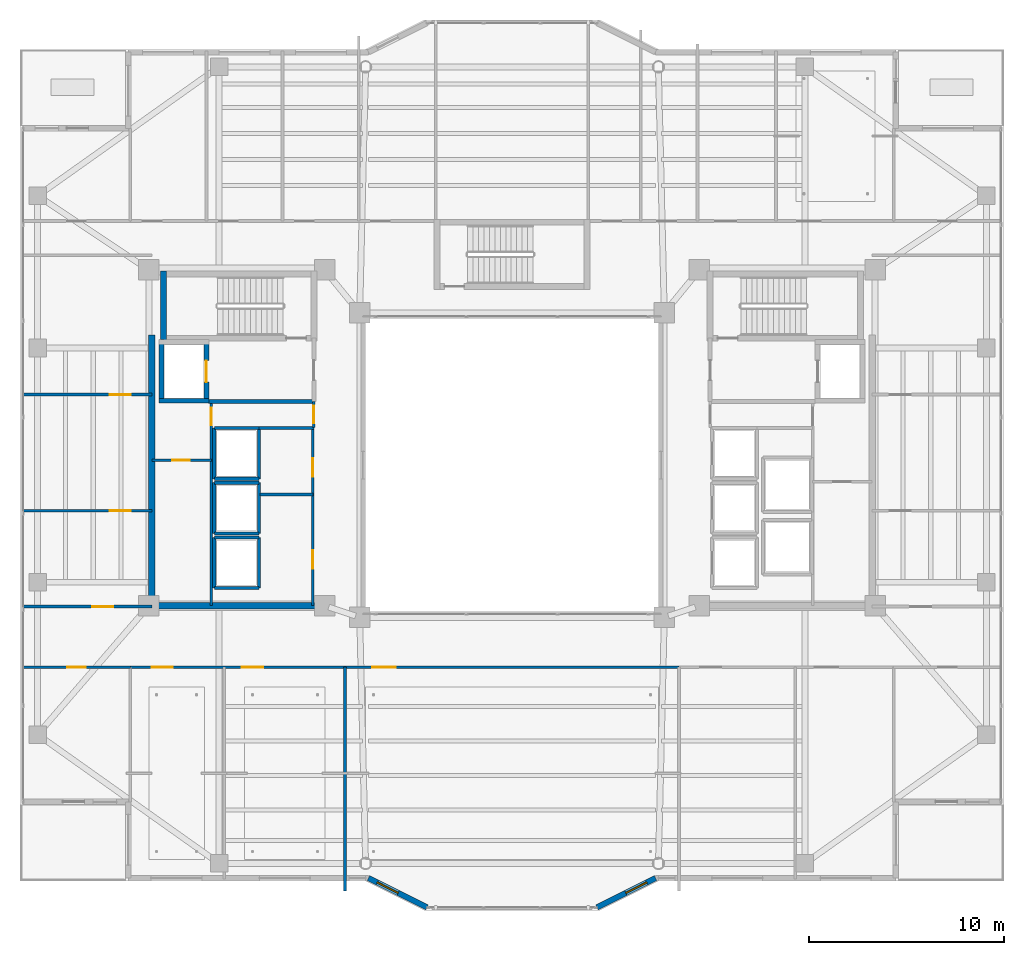
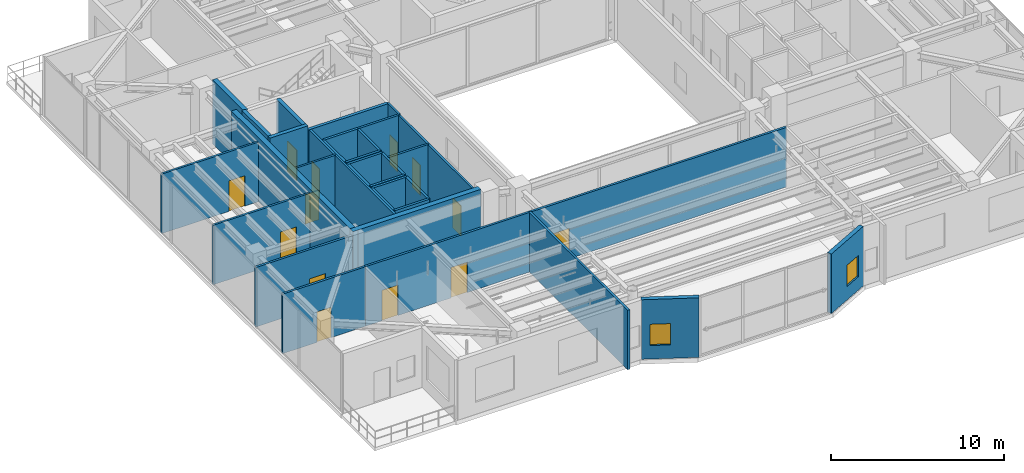
# One storey, part 23 of 33: 34 walls, 13 doors, 2 windows, 15 openings.
"""IFC4 building model written with IfcOpenShell, lengths in metres."""

from ifc_helpers import new_model, si_unit, direction, frame, frame_2d, origin, place, context, subcontext, project, spatial, rectangle, extrude, material, layer, layer_set, type_object, element, fill, save


model = new_model("IFC4")

# Units and contexts
model_context = context("Model", 3, precision=1e-05, world=origin(), true_north=direction((0.0, 1.0)))
body_context = subcontext(model_context, "Body", "Model", "MODEL_VIEW")
ifc_project = project(units=[si_unit("LENGTHUNIT", "METRE"), si_unit("AREAUNIT", "SQUARE_METRE"), si_unit("VOLUMEUNIT", "CUBIC_METRE"), si_unit("PLANEANGLEUNIT", "RADIAN"), si_unit("MASSUNIT", "GRAM", prefix="KILO")], contexts=[model_context])

# Site, building, storey
site_placement = place(None, origin())
site = spatial("IfcSite", under=ifc_project, at=site_placement, CompositionType="ELEMENT")
building_placement = place(site_placement, origin())
building = spatial("IfcBuilding", under=site, at=building_placement, Name="Tarnavaz Court Tower", CompositionType="ELEMENT")
storey_placement = place(building_placement, frame((0.0, 0.0, 172.800048828125)))
storey = spatial("IfcBuildingStorey", under=building, at=storey_placement, Name="L47", CompositionType="ELEMENT", Elevation=172.800048828125)

# Wall
ifc_material_1 = material(Name="Concrete C50/60", Category="concrete")
ifc_layer_1 = layer(ifc_material_1, 0.25)
ifc_layer_set_1 = layer_set([ifc_layer_1], Name="Concrete C50/60")
wall_type_1 = type_object("IfcWallType", Name="WL-CORE-250-C50", PredefinedType="SHEAR", material=ifc_layer_set_1)
wall_1_placement = place(storey_placement, frame((-17.949951171875, 3.175048828125, 0.0), z_axis=(0.0, 0.0, 1.0), x_axis=(0.0, 1.0, 0.0)))
element("IfcWall", 1, at=wall_1_placement, inside=storey, type_object=wall_type_1, Name="L47 Lift FL-W1 Shaft Wall 017", PredefinedType="SHEAR", context=body_context, shape_type="SweptSolid", body=[
    extrude(rectangle(XDim=3.25, YDim=0.25, at=frame_2d((1.625, 0.0))), origin(), (0.0, 0.0, 1.0), 4.5),
])

# Wall, opening, door
wall_2_placement = place(storey_placement, frame((-15.64990234375, 3.175048828125, 0.0), z_axis=(0.0, 0.0, 1.0), x_axis=(0.0, 1.0, 0.0)))
wall_2 = element("IfcWall", 2, at=wall_2_placement, inside=storey, type_object=wall_type_1, Name="L47 Lift FL-W1 Shaft Wall 018", PredefinedType="SHEAR", context=body_context, shape_type="SweptSolid", body=[
    extrude(rectangle(XDim=3.25, YDim=0.25, at=frame_2d((1.625, 0.0))), origin(), (0.0, 0.0, 1.0), 4.5),
])
opening_1_placement = place(wall_2_placement, frame((1.074951171875, 0.0, 0.0)))
opening_1 = element("IfcOpeningElement", 3, at=opening_1_placement, cuts=wall_2, Name="Opening LD1", PredefinedType="OPENING", context=body_context, shape_type="SweptSolid", body=[
    extrude(rectangle(XDim=1.10009765625, YDim=2.14990234375, at=frame_2d((0.550048828125, 1.074951171875))), frame((0.0, 0.135009765625, 0.0), z_axis=(0.0, -1.0, 0.0), x_axis=(1.0, 0.0, 0.0)), (0.0, 0.0, 1.0), 0.27001953125),
])
ifc_material_2 = material(Name="Stainless Steel", Category="steel")
door_type_1 = type_object("IfcDoorType", Name="DR-LD-1100", OperationType="NOTDEFINED", PredefinedType="DOOR", material=ifc_material_2)
door_1_placement = place(opening_1_placement, origin())
door_1 = element("IfcDoor", 4, at=door_1_placement, inside=storey, type_object=door_type_1, Name="L47 Lift Landing Door LD-FL-W1", OperationType="SLIDING_TO_LEFT", OverallHeight=2.14990234375, OverallWidth=1.10009765625, PredefinedType="DOOR", context=body_context, shape_type="SweptSolid", body=[
    extrude(rectangle(XDim=1.10009765625, YDim=2.14990234375, at=frame_2d((0.550048828125, 1.074951171875))), frame((0.0, 0.02490234375, 0.0), z_axis=(0.0, -1.0, 0.0), x_axis=(1.0, 0.0, 0.0)), (0.0, 0.0, 1.0), 0.050048828125),
])
fill(opening_1, door_1)

# Walls
wall_3_placement = place(storey_placement, frame((-18.074951171875, 3.300048828125, 0.0), z_axis=(0.0, 0.0, 1.0), x_axis=(1.0, 0.0, 0.0)))
element("IfcWall", 5, at=wall_3_placement, inside=storey, type_object=wall_type_1, Name="L47 Lift FL-W1 Shaft Wall 019", PredefinedType="SHEAR", context=body_context, shape_type="SweptSolid", body=[
    extrude(rectangle(XDim=2.550048828125, YDim=0.25, at=frame_2d((1.27490234375, 0.0))), origin(), (0.0, 0.0, 1.0), 4.5),
])
ifc_layer_2 = layer(ifc_material_1, 0.300048828125)
ifc_layer_set_2 = layer_set([ifc_layer_2], Name="Concrete C50/60")
wall_type_2 = type_object("IfcWallType", Name="WL-CORE-300-C50", PredefinedType="SHEAR", material=ifc_layer_set_2)
wall_4_placement = place(storey_placement, frame((-17.85009765625, 6.35009765625, 0.0), z_axis=(0.0, 0.0, 1.0), x_axis=(0.0, 1.0, 0.0)))
element("IfcWall", 6, at=wall_4_placement, inside=storey, type_object=wall_type_2, Name="L47 West Stair Core Wall 003", PredefinedType="SHEAR", context=body_context, shape_type="SweptSolid", body=[
    extrude(rectangle(XDim=3.58984375, YDim=0.300048828125, at=frame_2d((1.794921875, 0.0))), origin(), (0.0, 0.0, 1.0), 4.5),
])
ifc_layer_3 = layer(ifc_material_1, 0.35009765625)
ifc_layer_set_3 = layer_set([ifc_layer_3], Name="Concrete C50/60")
wall_type_3 = type_object("IfcWallType", Name="WL-CORE-350-C50", PredefinedType="SHEAR", material=ifc_layer_set_3)
wall_5_placement = place(storey_placement, frame((-18.449951171875, -7.375, 0.0), z_axis=(0.0, 0.0, 1.0), x_axis=(0.0, 1.0, 0.0)))
element("IfcWall", 7, at=wall_5_placement, inside=storey, type_object=wall_type_3, Name="L47 West Core Shear Wall 057", PredefinedType="SHEAR", context=body_context, shape_type="SweptSolid", body=[
    extrude(rectangle(XDim=14.050048828125, YDim=0.35009765625, at=frame_2d((7.02490234375, 0.0))), origin(), (0.0, 0.0, 1.0), 4.5),
])
wall_6_placement = place(storey_placement, frame((-18.625, -7.199951171875, 0.0), z_axis=(0.0, 0.0, 1.0), x_axis=(1.0, 0.0, 0.0)))
element("IfcWall", 8, at=wall_6_placement, inside=storey, type_object=wall_type_3, Name="L47 West Core South Shear Wall 058", PredefinedType="SHEAR", context=body_context, shape_type="SweptSolid", body=[
    extrude(rectangle(XDim=8.550048828125, YDim=0.35009765625, at=frame_2d((4.27490234375, 0.0))), origin(), (0.0, 0.0, 1.0), 4.5),
])

# Wall, opening, window
ifc_material_3 = material(Name="Precast Concrete C40/50", Category="concrete")
ifc_layer_4 = layer(ifc_material_3, 0.280029296875)
ifc_layer_set_4 = layer_set([ifc_layer_4], Name="Precast Concrete C40/50")
wall_type_4 = type_object("IfcWallType", Name="WL-EXT-280", PredefinedType="SOLIDWALL", material=ifc_layer_set_4)
wall_7_placement = place(storey_placement, frame((7.35009765625, -21.14990234375, 0.0), z_axis=(0.0, 0.0, 1.0), x_axis=(-0.894427191, -0.4472135955, 0.0)))
wall_7 = element("IfcWall", 9, at=wall_7_placement, inside=storey, type_object=wall_type_4, Name="L47 Exterior Terracotta Facade Wall 16", PredefinedType="SOLIDWALL", context=body_context, shape_type="SweptSolid", body=[
    extrude(rectangle(XDim=3.35400390625, YDim=0.280029296875, at=frame_2d((1.677001953125, 0.0))), origin(), (0.0, 0.0, 1.0), 4.199951171875),
])
opening_2_placement = place(wall_7_placement, frame((0.501220703125, 0.0, 0.949951171875)))
opening_2 = element("IfcOpeningElement", 10, at=opening_2_placement, cuts=wall_7, Name="Opening W05", PredefinedType="OPENING", context=body_context, shape_type="SweptSolid", body=[
    extrude(rectangle(XDim=1.199951171875, YDim=1.5, at=frame_2d((0.60009765625, 0.75))), frame((0.0, 0.14990234375, 0.0), z_axis=(0.0, -1.0, 0.0), x_axis=(1.0, 0.0, 0.0)), (0.0, 0.0, 1.0), 0.300048828125),
])
ifc_material_4 = material(Name="Double-Glazed Solar Low-E Glass", Category="glass")
window_type = type_object("IfcWindowType", Name="WN-APT-1200", PartitioningType="SINGLE_PANEL", PredefinedType="WINDOW", material=ifc_material_4)
window_1_placement = place(opening_2_placement, origin())
window_1 = element("IfcWindow", 11, at=window_1_placement, inside=storey, type_object=window_type, Name="L47 L47 Central Iwan Cultural Exhibition Hall Window", OverallHeight=1.5, OverallWidth=1.199951171875, PartitioningType="SINGLE_PANEL", PredefinedType="WINDOW", context=body_context, shape_type="SweptSolid", body=[
    extrude(rectangle(XDim=1.199951171875, YDim=1.5, at=frame_2d((0.60009765625, 0.75))), frame((0.0, 0.030029296875, 0.0), z_axis=(0.0, -1.0, 0.0), x_axis=(1.0, 0.0, 0.0)), (0.0, 0.0, 1.0), 0.06005859375),
])
fill(opening_2, window_1)

wall_8_placement = place(storey_placement, frame((-4.35009765625, -22.64990234375, 0.0), z_axis=(0.0, 0.0, 1.0), x_axis=(-0.894427191, 0.4472135955, 0.0)))
wall_8 = element("IfcWall", 12, at=wall_8_placement, inside=storey, type_object=wall_type_4, Name="L47 Exterior Terracotta Facade Wall 18", PredefinedType="SOLIDWALL", context=body_context, shape_type="SweptSolid", body=[
    extrude(rectangle(XDim=3.35400390625, YDim=0.280029296875, at=frame_2d((1.677001953125, 0.0))), origin(), (0.0, 0.0, 1.0), 4.199951171875),
])
opening_3_placement = place(wall_8_placement, frame((1.65283203125, 0.0, 0.949951171875)))
opening_3 = element("IfcOpeningElement", 13, at=opening_3_placement, cuts=wall_8, Name="Opening W05", PredefinedType="OPENING", context=body_context, shape_type="SweptSolid", body=[
    extrude(rectangle(XDim=1.199951171875, YDim=1.5, at=frame_2d((0.60009765625, 0.75))), frame((0.0, 0.14990234375, 0.0), z_axis=(0.0, -1.0, 0.0), x_axis=(1.0, 0.0, 0.0)), (0.0, 0.0, 1.0), 0.300048828125),
])
window_2_placement = place(opening_3_placement, origin())
window_2 = element("IfcWindow", 14, at=window_2_placement, inside=storey, type_object=window_type, Name="L47 L47 Central Iwan Cultural Exhibition Hall Window", OverallHeight=1.5, OverallWidth=1.199951171875, PartitioningType="SINGLE_PANEL", PredefinedType="WINDOW", context=body_context, shape_type="SweptSolid", body=[
    extrude(rectangle(XDim=1.199951171875, YDim=1.5, at=frame_2d((0.60009765625, 0.75))), frame((0.0, 0.030029296875, 0.0), z_axis=(0.0, -1.0, 0.0), x_axis=(1.0, 0.0, 0.0)), (0.0, 0.0, 1.0), 0.06005859375),
])
fill(opening_3, window_2)

# Wall, openings, doors
ifc_material_5 = material(Name="Gypsum Fire-Board on Acoustic Metal Stud", Category="masonry")
ifc_layer_5 = layer(ifc_material_5, 0.14990234375)
ifc_layer_set_5 = layer_set([ifc_layer_5], Name="Gypsum Fire-Board on Acoustic Metal Stud")
wall_type_5 = type_object("IfcWallType", Name="WL-FIRE-150", PredefinedType="PARTITIONING", material=ifc_layer_set_5)
wall_9_placement = place(storey_placement, frame((-19.550048828125, -10.35009765625, 0.0), z_axis=(0.0, 0.0, 1.0), x_axis=(1.0, 0.0, 0.0)))
wall_9 = element("IfcWall", 15, at=wall_9_placement, inside=storey, type_object=wall_type_5, Name="L47 SW Horseshoe Wall 073", PredefinedType="PARTITIONING", context=body_context, shape_type="SweptSolid", body=[
    extrude(rectangle(XDim=11.0, YDim=0.14990234375, at=frame_2d((5.5, 0.0))), origin(), (0.0, 0.0, 1.0), 4.199951171875),
])
opening_4_placement = place(wall_9_placement, frame((1.10009765625, 0.0, 0.0)))
opening_4 = element("IfcOpeningElement", 16, at=opening_4_placement, cuts=wall_9, Name="Opening D12", PredefinedType="OPENING", context=body_context, shape_type="SweptSolid", body=[
    extrude(rectangle(XDim=1.080078125, YDim=2.14990234375, at=frame_2d((0.5400390625, 1.074951171875))), frame((0.0, 0.0849609375, 0.0), z_axis=(0.0, -1.0, 0.0), x_axis=(1.0, 0.0, 0.0)), (0.0, 0.0, 1.0), 0.169921875),
])
opening_5_placement = place(wall_9_placement, frame((5.718017578125, 0.0, 0.0)))
opening_5 = element("IfcOpeningElement", 17, at=opening_5_placement, cuts=wall_9, Name="Opening D12", PredefinedType="OPENING", context=body_context, shape_type="SweptSolid", body=[
    extrude(rectangle(XDim=1.080078125, YDim=2.14990234375, at=frame_2d((0.5400390625, 1.074951171875))), frame((0.0, 0.0849609375, 0.0), z_axis=(0.0, -1.0, 0.0), x_axis=(1.0, 0.0, 0.0)), (0.0, 0.0, 1.0), 0.169921875),
])
ifc_material_6 = material(Name="Engineered Oak Timber", Category="wood")
door_type_2 = type_object("IfcDoorType", Name="DR-INT-1100", OperationType="NOTDEFINED", PredefinedType="DOOR", material=ifc_material_6)
door_2_placement = place(opening_4_placement, origin())
door_2 = element("IfcDoor", 18, at=door_2_placement, inside=storey, type_object=door_type_2, Name="L47 L47 Daycare Classroom Door", OperationType="SINGLE_SWING_LEFT", OverallHeight=2.14990234375, OverallWidth=1.080078125, PredefinedType="DOOR", context=body_context, shape_type="SweptSolid", body=[
    extrude(rectangle(XDim=1.080078125, YDim=2.14990234375, at=frame_2d((0.5400390625, 1.074951171875))), frame((0.0, 0.02490234375, 0.0), z_axis=(0.0, -1.0, 0.0), x_axis=(1.0, 0.0, 0.0)), (0.0, 0.0, 1.0), 0.050048828125),
])
fill(opening_4, door_2)
door_3_placement = place(opening_5_placement, origin())
door_3 = element("IfcDoor", 19, at=door_3_placement, inside=storey, type_object=door_type_2, Name="L47 SW Study Room Door", OperationType="SINGLE_SWING_RIGHT", OverallHeight=2.14990234375, OverallWidth=1.080078125, PredefinedType="DOOR", context=body_context, shape_type="SweptSolid", body=[
    extrude(rectangle(XDim=1.080078125, YDim=2.14990234375, at=frame_2d((0.5400390625, 1.074951171875))), frame((0.0, 0.02490234375, 0.0), z_axis=(0.0, -1.0, 0.0), x_axis=(1.0, 0.0, 0.0)), (0.0, 0.0, 1.0), 0.050048828125),
])
fill(opening_5, door_3)

# Wall, opening, door
wall_10_placement = place(storey_placement, frame((-8.550048828125, -10.35009765625, 0.0), z_axis=(0.0, 0.0, 1.0), x_axis=(1.0, 0.0, 0.0)))
wall_10 = element("IfcWall", 20, at=wall_10_placement, inside=storey, type_object=wall_type_5, Name="L47 Interior Partition 087", PredefinedType="PARTITIONING", context=body_context, shape_type="SweptSolid", body=[
    extrude(rectangle(XDim=17.10009765625, YDim=0.14990234375, at=frame_2d((8.550048828125, 0.0))), origin(), (0.0, 0.0, 1.0), 4.199951171875),
])
opening_6_placement = place(wall_10_placement, frame((1.39990234375, 0.0, 0.0)))
opening_6 = element("IfcOpeningElement", 21, at=opening_6_placement, cuts=wall_10, Name="Opening D11", PredefinedType="OPENING", context=body_context, shape_type="SweptSolid", body=[
    extrude(rectangle(XDim=1.199951171875, YDim=2.14990234375, at=frame_2d((0.60009765625, 1.074951171875))), frame((0.0, 0.0849609375, 0.0), z_axis=(0.0, -1.0, 0.0), x_axis=(1.0, 0.0, 0.0)), (0.0, 0.0, 1.0), 0.169921875),
])
door_type_3 = type_object("IfcDoorType", Name="DR-INT-1200", OperationType="NOTDEFINED", PredefinedType="DOOR", material=ifc_material_6)
door_4_placement = place(opening_6_placement, origin())
door_4 = element("IfcDoor", 22, at=door_4_placement, inside=storey, type_object=door_type_3, Name="L47 Central Iwan Hall Door", OperationType="SINGLE_SWING_LEFT", OverallHeight=2.14990234375, OverallWidth=1.199951171875, PredefinedType="DOOR", context=body_context, shape_type="SweptSolid", body=[
    extrude(rectangle(XDim=1.199951171875, YDim=2.14990234375, at=frame_2d((0.60009765625, 1.074951171875))), frame((0.0, 0.02490234375, 0.0), z_axis=(0.0, -1.0, 0.0), x_axis=(1.0, 0.0, 0.0)), (0.0, 0.0, 1.0), 0.050048828125),
])
fill(opening_6, door_4)

wall_11_placement = place(storey_placement, frame((-25.080078125, -7.25, 0.0), z_axis=(0.0, 0.0, 1.0), x_axis=(1.0, 0.0, 0.0)))
wall_11 = element("IfcWall", 23, at=wall_11_placement, inside=storey, type_object=wall_type_5, Name="L47 Interior Partition 088", PredefinedType="PARTITIONING", context=body_context, shape_type="SweptSolid", body=[
    extrude(rectangle(XDim=6.630126953125, YDim=0.14990234375, at=frame_2d((3.31494140625, 0.0))), origin(), (0.0, 0.0, 1.0), 4.199951171875),
])
opening_7_placement = place(wall_11_placement, frame((3.580078125, 0.0, 0.0)))
opening_7 = element("IfcOpeningElement", 24, at=opening_7_placement, cuts=wall_11, Name="Opening D12", PredefinedType="OPENING", context=body_context, shape_type="SweptSolid", body=[
    extrude(rectangle(XDim=1.080078125, YDim=2.14990234375, at=frame_2d((0.5400390625, 1.074951171875))), frame((0.0, 0.0849609375, 0.0), z_axis=(0.0, -1.0, 0.0), x_axis=(1.0, 0.0, 0.0)), (0.0, 0.0, 1.0), 0.169921875),
])
door_5_placement = place(opening_7_placement, origin())
door_5 = element("IfcDoor", 25, at=door_5_placement, inside=storey, type_object=door_type_2, Name="L47 West Suite Room 1 Door", OperationType="SINGLE_SWING_RIGHT", OverallHeight=2.14990234375, OverallWidth=1.080078125, PredefinedType="DOOR", context=body_context, shape_type="SweptSolid", body=[
    extrude(rectangle(XDim=1.080078125, YDim=2.14990234375, at=frame_2d((0.5400390625, 1.074951171875))), frame((0.0, 0.02490234375, 0.0), z_axis=(0.0, -1.0, 0.0), x_axis=(1.0, 0.0, 0.0)), (0.0, 0.0, 1.0), 0.050048828125),
])
fill(opening_7, door_5)

wall_12_placement = place(storey_placement, frame((-25.080078125, -10.35009765625, 0.0), z_axis=(0.0, 0.0, 1.0), x_axis=(1.0, 0.0, 0.0)))
wall_12 = element("IfcWall", 26, at=wall_12_placement, inside=storey, type_object=wall_type_5, Name="L47 Interior Partition 098", PredefinedType="PARTITIONING", context=body_context, shape_type="SweptSolid", body=[
    extrude(rectangle(XDim=5.530029296875, YDim=0.14990234375, at=frame_2d((2.76513671875, 0.0))), origin(), (0.0, 0.0, 1.0), 4.199951171875),
])
opening_8_placement = place(wall_12_placement, frame((2.2900390625, 0.0, 0.0)))
opening_8 = element("IfcOpeningElement", 27, at=opening_8_placement, cuts=wall_12, Name="Opening D13", PredefinedType="OPENING", context=body_context, shape_type="SweptSolid", body=[
    extrude(rectangle(XDim=0.949951171875, YDim=2.14990234375, at=frame_2d((0.47509765625, 1.074951171875))), frame((0.0, 0.0849609375, 0.0), z_axis=(0.0, -1.0, 0.0), x_axis=(1.0, 0.0, 0.0)), (0.0, 0.0, 1.0), 0.169921875),
])
door_type_4 = type_object("IfcDoorType", Name="DR-INT-950", OperationType="NOTDEFINED", PredefinedType="DOOR", material=ifc_material_6)
door_6_placement = place(opening_8_placement, origin())
door_6 = element("IfcDoor", 28, at=door_6_placement, inside=storey, type_object=door_type_4, Name="L47 SW Terrace Salon Door", OperationType="SINGLE_SWING_RIGHT", OverallHeight=2.14990234375, OverallWidth=0.949951171875, PredefinedType="DOOR", context=body_context, shape_type="SweptSolid", body=[
    extrude(rectangle(XDim=0.949951171875, YDim=2.14990234375, at=frame_2d((0.47509765625, 1.074951171875))), frame((0.0, 0.02490234375, 0.0), z_axis=(0.0, -1.0, 0.0), x_axis=(1.0, 0.0, 0.0)), (0.0, 0.0, 1.0), 0.050048828125),
])
fill(opening_8, door_6)

# Walls
ifc_material_7 = material(Name="Autoclaved Aerated Concrete Blockwork", Category="masonry")
ifc_layer_6 = layer(ifc_material_7, 0.199951171875)
ifc_layer_set_6 = layer_set([ifc_layer_6], Name="Autoclaved Aerated Concrete Blockwork")
wall_type_6 = type_object("IfcWallType", Name="WL-FIRE-200", PredefinedType="SOLIDWALL", material=ifc_layer_set_6)
wall_13_placement = place(storey_placement, frame((-15.550048828125, 3.25, 0.0), z_axis=(0.0, 0.0, 1.0), x_axis=(1.0, 0.0, 0.0)))
element("IfcWall", 29, at=wall_13_placement, inside=storey, type_object=wall_type_6, Name="L47 West Firefighting Lobby Wall 013", PredefinedType="SOLIDWALL", context=body_context, shape_type="SweptSolid", body=[
    extrude(rectangle(XDim=5.400146484375, YDim=0.199951171875, at=frame_2d((2.7001953125, 0.0))), origin(), (0.0, 0.0, 1.0), 4.199951171875),
])
ifc_material_8 = material(Name="Gypsum Plasterboard Acoustic Partition", Category="masonry")
ifc_layer_7 = layer(ifc_material_8, 0.139892578125)
ifc_layer_set_7 = layer_set([ifc_layer_7], Name="Gypsum Plasterboard Acoustic Partition")
wall_type_7 = type_object("IfcWallType", Name="WL-PART-150", PredefinedType="PARTITIONING", material=ifc_layer_set_7)
wall_14_placement = place(storey_placement, frame((-12.949951171875, 1.89990234375, 0.0), z_axis=(0.0, 0.0, 1.0), x_axis=(1.0, 0.0, 0.0)))
element("IfcWall", 30, at=wall_14_placement, inside=storey, type_object=wall_type_7, Name="L47 Interior Partition 061", PredefinedType="PARTITIONING", context=body_context, shape_type="SweptSolid", body=[
    extrude(rectangle(XDim=2.800048828125, YDim=0.139892578125, at=frame_2d((1.39990234375, 0.0))), origin(), (0.0, 0.0, 1.0), 4.199951171875),
])

# Wall, opening, door
wall_15_placement = place(storey_placement, frame((-10.14990234375, 1.919921875, 0.0), z_axis=(0.0, 0.0, 1.0), x_axis=(0.0, 1.0, 0.0)))
wall_15 = element("IfcWall", 31, at=wall_15_placement, inside=storey, type_object=wall_type_7, Name="L47 Interior Partition 062", PredefinedType="PARTITIONING", context=body_context, shape_type="SweptSolid", body=[
    extrude(rectangle(XDim=1.330078125, YDim=0.139892578125, at=frame_2d((0.6650390625, 0.0))), origin(), (0.0, 0.0, 1.0), 4.199951171875),
])
opening_9_placement = place(wall_15_placement, frame((0.219970703125, 0.0, 0.0)))
opening_9 = element("IfcOpeningElement", 32, at=opening_9_placement, cuts=wall_15, Name="Opening D09", PredefinedType="OPENING", context=body_context, shape_type="SweptSolid", body=[
    extrude(rectangle(XDim=0.89990234375, YDim=2.080078125, at=frame_2d((0.449951171875, 1.0400390625))), frame((0.0, 0.079833984375, 0.0), z_axis=(0.0, -1.0, 0.0), x_axis=(1.0, 0.0, 0.0)), (0.0, 0.0, 1.0), 0.159912109375),
])
ifc_material_9 = material(Name="Fire-Rated Hardwood Timber Core", Category="wood")
door_type_5 = type_object("IfcDoorType", Name="DR-FD30-900", OperationType="NOTDEFINED", PredefinedType="DOOR", material=ifc_material_9)
door_7_placement = place(opening_9_placement, origin())
door_7 = element("IfcDoor", 33, at=door_7_placement, inside=storey, type_object=door_type_5, Name="L47 West Core Service Lobby Door", OperationType="SINGLE_SWING_LEFT", OverallHeight=2.080078125, OverallWidth=0.89990234375, PredefinedType="DOOR", context=body_context, shape_type="SweptSolid", body=[
    extrude(rectangle(XDim=0.89990234375, YDim=2.080078125, at=frame_2d((0.449951171875, 1.0400390625))), frame((0.0, 0.02490234375, 0.0), z_axis=(0.0, -1.0, 0.0), x_axis=(1.0, 0.0, 0.0)), (0.0, 0.0, 1.0), 0.050048828125),
])
fill(opening_9, door_7)

wall_16_placement = place(storey_placement, frame((-15.39990234375, -7.199951171875, 0.0), z_axis=(0.0, 0.0, 1.0), x_axis=(0.0, 1.0, 0.0)))
wall_16 = element("IfcWall", 34, at=wall_16_placement, inside=storey, type_object=wall_type_7, Name="L47 Interior Partition 063", PredefinedType="PARTITIONING", context=body_context, shape_type="SweptSolid", body=[
    extrude(rectangle(XDim=10.449951171875, YDim=0.139892578125, at=frame_2d((5.22509765625, 0.0))), origin(), (0.0, 0.0, 1.0), 4.199951171875),
])
opening_10_placement = place(wall_16_placement, frame((9.25, 0.0, 0.0)))
opening_10 = element("IfcOpeningElement", 35, at=opening_10_placement, cuts=wall_16, Name="Opening D09", PredefinedType="OPENING", context=body_context, shape_type="SweptSolid", body=[
    extrude(rectangle(XDim=0.89990234375, YDim=2.080078125, at=frame_2d((0.449951171875, 1.0400390625))), frame((0.0, 0.079833984375, 0.0), z_axis=(0.0, -1.0, 0.0), x_axis=(1.0, 0.0, 0.0)), (0.0, 0.0, 1.0), 0.159912109375),
])
door_8_placement = place(opening_10_placement, origin())
door_8 = element("IfcDoor", 36, at=door_8_placement, inside=storey, type_object=door_type_5, Name="L47 West Data Room Door", OperationType="SINGLE_SWING_RIGHT", OverallHeight=2.080078125, OverallWidth=0.89990234375, PredefinedType="DOOR", context=body_context, shape_type="SweptSolid", body=[
    extrude(rectangle(XDim=0.89990234375, YDim=2.080078125, at=frame_2d((0.449951171875, 1.0400390625))), frame((0.0, 0.02490234375, 0.0), z_axis=(0.0, -1.0, 0.0), x_axis=(1.0, 0.0, 0.0)), (0.0, 0.0, 1.0), 0.050048828125),
])
fill(opening_10, door_8)

wall_17_placement = place(storey_placement, frame((-18.449951171875, 0.25, 0.0), z_axis=(0.0, 0.0, 1.0), x_axis=(1.0, 0.0, 0.0)))
wall_17 = element("IfcWall", 37, at=wall_17_placement, inside=storey, type_object=wall_type_7, Name="L47 Interior Partition 064", PredefinedType="PARTITIONING", context=body_context, shape_type="SweptSolid", body=[
    extrude(rectangle(XDim=3.050048828125, YDim=0.139892578125, at=frame_2d((1.52490234375, 0.0))), origin(), (0.0, 0.0, 1.0), 4.199951171875),
])
opening_11_placement = place(wall_17_placement, frame((1.050048828125, 0.0, 0.0)))
opening_11 = element("IfcOpeningElement", 38, at=opening_11_placement, cuts=wall_17, Name="Opening D09", PredefinedType="OPENING", context=body_context, shape_type="SweptSolid", body=[
    extrude(rectangle(XDim=0.89990234375, YDim=2.080078125, at=frame_2d((0.449951171875, 1.0400390625))), frame((0.0, 0.079833984375, 0.0), z_axis=(0.0, -1.0, 0.0), x_axis=(1.0, 0.0, 0.0)), (0.0, 0.0, 1.0), 0.159912109375),
])
door_9_placement = place(opening_11_placement, origin())
door_9 = element("IfcDoor", 39, at=door_9_placement, inside=storey, type_object=door_type_5, Name="L47 West Mechanical Riser Door", OperationType="SINGLE_SWING_LEFT", OverallHeight=2.080078125, OverallWidth=0.89990234375, PredefinedType="DOOR", context=body_context, shape_type="SweptSolid", body=[
    extrude(rectangle(XDim=0.89990234375, YDim=2.080078125, at=frame_2d((0.449951171875, 1.0400390625))), frame((0.0, 0.02490234375, 0.0), z_axis=(0.0, -1.0, 0.0), x_axis=(1.0, 0.0, 0.0)), (0.0, 0.0, 1.0), 0.050048828125),
])
fill(opening_11, door_9)

# Wall, openings, doors
wall_18_placement = place(storey_placement, frame((-10.199951171875, -7.199951171875, 0.0), z_axis=(0.0, 0.0, 1.0), x_axis=(0.0, 1.0, 0.0)))
wall_18 = element("IfcWall", 40, at=wall_18_placement, inside=storey, type_object=wall_type_7, Name="L47 West Reclaimed Core Wall 065", PredefinedType="PARTITIONING", context=body_context, shape_type="SweptSolid", body=[
    extrude(rectangle(XDim=9.119873046875, YDim=0.139892578125, at=frame_2d((4.56005859375, 0.0))), origin(), (0.0, 0.0, 1.0), 4.199951171875),
])
opening_12_placement = place(wall_18_placement, frame((1.89990234375, 0.0, 0.0)))
opening_12 = element("IfcOpeningElement", 41, at=opening_12_placement, cuts=wall_18, Name="Opening D08", PredefinedType="OPENING", context=body_context, shape_type="SweptSolid", body=[
    extrude(rectangle(XDim=0.949951171875, YDim=2.1201171875, at=frame_2d((0.47509765625, 1.06005859375))), frame((0.0, 0.079833984375, 0.0), z_axis=(0.0, -1.0, 0.0), x_axis=(1.0, 0.0, 0.0)), (0.0, 0.0, 1.0), 0.159912109375),
])
opening_13_placement = place(wall_18_placement, frame((6.60009765625, 0.0, 0.0)))
opening_13 = element("IfcOpeningElement", 42, at=opening_13_placement, cuts=wall_18, Name="Opening D08", PredefinedType="OPENING", context=body_context, shape_type="SweptSolid", body=[
    extrude(rectangle(XDim=0.949951171875, YDim=2.1201171875, at=frame_2d((0.47509765625, 1.06005859375))), frame((0.0, 0.079833984375, 0.0), z_axis=(0.0, -1.0, 0.0), x_axis=(1.0, 0.0, 0.0)), (0.0, 0.0, 1.0), 0.159912109375),
])
door_type_6 = type_object("IfcDoorType", Name="DR-FD30-950", OperationType="NOTDEFINED", PredefinedType="DOOR", material=ifc_material_9)
door_10_placement = place(opening_12_placement, origin())
door_10 = element("IfcDoor", 43, at=door_10_placement, inside=storey, type_object=door_type_6, Name="L47 West Study Room Door", OperationType="SINGLE_SWING_RIGHT", OverallHeight=2.1201171875, OverallWidth=0.949951171875, PredefinedType="DOOR", context=body_context, shape_type="SweptSolid", body=[
    extrude(rectangle(XDim=0.949951171875, YDim=2.1201171875, at=frame_2d((0.47509765625, 1.06005859375))), frame((0.0, 0.02490234375, 0.0), z_axis=(0.0, -1.0, 0.0), x_axis=(1.0, 0.0, 0.0)), (0.0, 0.0, 1.0), 0.050048828125),
])
fill(opening_12, door_10)
door_11_placement = place(opening_13_placement, origin())
door_11 = element("IfcDoor", 44, at=door_11_placement, inside=storey, type_object=door_type_6, Name="L47 West Laundry Room Door", OperationType="SINGLE_SWING_LEFT", OverallHeight=2.1201171875, OverallWidth=0.949951171875, PredefinedType="DOOR", context=body_context, shape_type="SweptSolid", body=[
    extrude(rectangle(XDim=0.949951171875, YDim=2.1201171875, at=frame_2d((0.47509765625, 1.06005859375))), frame((0.0, 0.02490234375, 0.0), z_axis=(0.0, -1.0, 0.0), x_axis=(1.0, 0.0, 0.0)), (0.0, 0.0, 1.0), 0.050048828125),
])
fill(opening_13, door_11)

# Walls
wall_19_placement = place(storey_placement, frame((-12.89990234375, -1.5, 0.0), z_axis=(0.0, 0.0, 1.0), x_axis=(1.0, 0.0, 0.0)))
element("IfcWall", 45, at=wall_19_placement, inside=storey, type_object=wall_type_7, Name="L47 Interior Partition 066", PredefinedType="PARTITIONING", context=body_context, shape_type="SweptSolid", body=[
    extrude(rectangle(XDim=2.699951171875, YDim=0.139892578125, at=frame_2d((1.35009765625, 0.0))), origin(), (0.0, 0.0, 1.0), 4.199951171875),
])
wall_20_placement = place(storey_placement, frame((-8.550048828125, -21.803955078125, 0.0), z_axis=(0.0, 0.0, 1.0), x_axis=(0.0, 1.0, 0.0)))
element("IfcWall", 46, at=wall_20_placement, inside=storey, type_object=wall_type_7, Name="L47 Interior Partition 084", PredefinedType="PARTITIONING", context=body_context, shape_type="SweptSolid", body=[
    extrude(rectangle(XDim=11.453857421875, YDim=0.139892578125, at=frame_2d((5.72705078125, 0.0))), origin(), (0.0, 0.0, 1.0), 4.199951171875),
])

# Wall, opening, door
wall_21_placement = place(storey_placement, frame((-25.080078125, -2.340087890625, 0.0), z_axis=(0.0, 0.0, 1.0), x_axis=(1.0, 0.0, 0.0)))
wall_21 = element("IfcWall", 47, at=wall_21_placement, inside=storey, type_object=wall_type_7, Name="L47 Interior Partition 100", PredefinedType="PARTITIONING", context=body_context, shape_type="SweptSolid", body=[
    extrude(rectangle(XDim=6.630126953125, YDim=0.139892578125, at=frame_2d((3.31494140625, 0.0))), origin(), (0.0, 0.0, 1.0), 4.199951171875),
])
opening_14_placement = place(wall_21_placement, frame((4.47998046875, 0.0, 0.0)))
opening_14 = element("IfcOpeningElement", 48, at=opening_14_placement, cuts=wall_21, Name="Opening D12", PredefinedType="OPENING", context=body_context, shape_type="SweptSolid", body=[
    extrude(rectangle(XDim=1.080078125, YDim=2.14990234375, at=frame_2d((0.5400390625, 1.074951171875))), frame((0.0, 0.079833984375, 0.0), z_axis=(0.0, -1.0, 0.0), x_axis=(1.0, 0.0, 0.0)), (0.0, 0.0, 1.0), 0.159912109375),
])
door_12_placement = place(opening_14_placement, origin())
door_12 = element("IfcDoor", 49, at=door_12_placement, inside=storey, type_object=door_type_2, Name="L47 West Suite Room 2 Door", OperationType="SINGLE_SWING_LEFT", OverallHeight=2.14990234375, OverallWidth=1.080078125, PredefinedType="DOOR", context=body_context, shape_type="SweptSolid", body=[
    extrude(rectangle(XDim=1.080078125, YDim=2.14990234375, at=frame_2d((0.5400390625, 1.074951171875))), frame((0.0, 0.02490234375, 0.0), z_axis=(0.0, -1.0, 0.0), x_axis=(1.0, 0.0, 0.0)), (0.0, 0.0, 1.0), 0.050048828125),
])
fill(opening_14, door_12)

wall_22_placement = place(storey_placement, frame((-25.080078125, 3.613037109375, 0.0), z_axis=(0.0, 0.0, 1.0), x_axis=(1.0, 0.0, 0.0)))
wall_22 = element("IfcWall", 50, at=wall_22_placement, inside=storey, type_object=wall_type_7, Name="L47 Interior Partition 101", PredefinedType="PARTITIONING", context=body_context, shape_type="SweptSolid", body=[
    extrude(rectangle(XDim=6.630126953125, YDim=0.139892578125, at=frame_2d((3.31494140625, 0.0))), origin(), (0.0, 0.0, 1.0), 4.199951171875),
])
opening_15_placement = place(wall_22_placement, frame((4.47998046875, 0.0, 0.0)))
opening_15 = element("IfcOpeningElement", 51, at=opening_15_placement, cuts=wall_22, Name="Opening D12", PredefinedType="OPENING", context=body_context, shape_type="SweptSolid", body=[
    extrude(rectangle(XDim=1.080078125, YDim=2.14990234375, at=frame_2d((0.5400390625, 1.074951171875))), frame((0.0, 0.079833984375, 0.0), z_axis=(0.0, -1.0, 0.0), x_axis=(1.0, 0.0, 0.0)), (0.0, 0.0, 1.0), 0.159912109375),
])
door_13_placement = place(opening_15_placement, origin())
door_13 = element("IfcDoor", 52, at=door_13_placement, inside=storey, type_object=door_type_2, Name="L47 West Suite Room 3 Door", OperationType="SINGLE_SWING_RIGHT", OverallHeight=2.14990234375, OverallWidth=1.080078125, PredefinedType="DOOR", context=body_context, shape_type="SweptSolid", body=[
    extrude(rectangle(XDim=1.080078125, YDim=2.14990234375, at=frame_2d((0.5400390625, 1.074951171875))), frame((0.0, 0.02490234375, 0.0), z_axis=(0.0, -1.0, 0.0), x_axis=(1.0, 0.0, 0.0)), (0.0, 0.0, 1.0), 0.050048828125),
])
fill(opening_15, door_13)

# Walls
ifc_layer_8 = layer(ifc_material_7, 0.159912109375)
ifc_layer_set_8 = layer_set([ifc_layer_8], Name="Autoclaved Aerated Concrete Blockwork")
wall_type_8 = type_object("IfcWallType", Name="WL-SHAFT-150", PredefinedType="SOLIDWALL", material=ifc_layer_set_8)
for number, where, z_axis, x_axis, name in (
    (53, (-15.25, -6.300048828125, 0.0), (0.0, 0.0, 1.0), (0.0, 1.0, 0.0), "L47 Lift PL-H1 Shaft Wall 021"),
    (54, (-12.949951171875, -6.300048828125, 0.0), (0.0, 0.0, 1.0), (0.0, 1.0, 0.0), "L47 Lift PL-H1 Shaft Wall 022"),
):
    element("IfcWall", number, at=place(storey_placement, frame(where, z_axis=z_axis, x_axis=x_axis)), inside=storey, type_object=wall_type_8, Name=name, PredefinedType="SOLIDWALL", context=body_context, shape_type="SweptSolid", body=[
        extrude(rectangle(XDim=2.60009765625, YDim=0.159912109375, at=frame_2d((1.300048828125, 0.0))), origin(), (0.0, 0.0, 1.0), 4.199951171875),
    ])
for number, where, z_axis, x_axis, name in (
    (55, (-15.25, -6.300048828125, 0.0), (0.0, 0.0, 1.0), (1.0, 0.0, 0.0), "L47 Lift PL-H1 Shaft Wall 023"),
    (56, (-15.25, -3.699951171875, 0.0), (0.0, 0.0, 1.0), (1.0, 0.0, 0.0), "L47 Lift PL-H1 Shaft Wall 024"),
):
    element("IfcWall", number, at=place(storey_placement, frame(where, z_axis=z_axis, x_axis=x_axis)), inside=storey, type_object=wall_type_8, Name=name, PredefinedType="SOLIDWALL", context=body_context, shape_type="SweptSolid", body=[
        extrude(rectangle(XDim=2.300048828125, YDim=0.159912109375, at=frame_2d((1.14990234375, 0.0))), origin(), (0.0, 0.0, 1.0), 4.199951171875),
    ])
for number, where, z_axis, x_axis, name in (
    (57, (-15.25, -3.5, 0.0), (0.0, 0.0, 1.0), (0.0, 1.0, 0.0), "L47 Lift PL-H2 Shaft Wall 025"),
    (58, (-12.949951171875, -3.5, 0.0), (0.0, 0.0, 1.0), (0.0, 1.0, 0.0), "L47 Lift PL-H2 Shaft Wall 026"),
):
    element("IfcWall", number, at=place(storey_placement, frame(where, z_axis=z_axis, x_axis=x_axis)), inside=storey, type_object=wall_type_8, Name=name, PredefinedType="SOLIDWALL", context=body_context, shape_type="SweptSolid", body=[
        extrude(rectangle(XDim=2.60009765625, YDim=0.159912109375, at=frame_2d((1.300048828125, 0.0))), origin(), (0.0, 0.0, 1.0), 4.199951171875),
    ])
for number, where, z_axis, x_axis, name in (
    (59, (-15.25, -3.5, 0.0), (0.0, 0.0, 1.0), (1.0, 0.0, 0.0), "L47 Lift PL-H2 Shaft Wall 027"),
    (60, (-15.25, -0.89990234375, 0.0), (0.0, 0.0, 1.0), (1.0, 0.0, 0.0), "L47 Lift PL-H2 Shaft Wall 028"),
):
    element("IfcWall", number, at=place(storey_placement, frame(where, z_axis=z_axis, x_axis=x_axis)), inside=storey, type_object=wall_type_8, Name=name, PredefinedType="SOLIDWALL", context=body_context, shape_type="SweptSolid", body=[
        extrude(rectangle(XDim=2.300048828125, YDim=0.159912109375, at=frame_2d((1.14990234375, 0.0))), origin(), (0.0, 0.0, 1.0), 4.199951171875),
    ])
for number, where, z_axis, x_axis, name in (
    (61, (-15.25, -0.699951171875, 0.0), (0.0, 0.0, 1.0), (0.0, 1.0, 0.0), "L47 Lift PL-H3 Shaft Wall 029"),
    (62, (-12.949951171875, -0.699951171875, 0.0), (0.0, 0.0, 1.0), (0.0, 1.0, 0.0), "L47 Lift PL-H3 Shaft Wall 030"),
):
    element("IfcWall", number, at=place(storey_placement, frame(where, z_axis=z_axis, x_axis=x_axis)), inside=storey, type_object=wall_type_8, Name=name, PredefinedType="SOLIDWALL", context=body_context, shape_type="SweptSolid", body=[
        extrude(rectangle(XDim=2.599853515625, YDim=0.159912109375, at=frame_2d((1.2998046875, 0.0))), origin(), (0.0, 0.0, 1.0), 4.199951171875),
    ])
for number, where, z_axis, x_axis, name in (
    (63, (-15.25, -0.699951171875, 0.0), (0.0, 0.0, 1.0), (1.0, 0.0, 0.0), "L47 Lift PL-H3 Shaft Wall 031"),
    (64, (-15.25, 1.89990234375, 0.0), (0.0, 0.0, 1.0), (1.0, 0.0, 0.0), "L47 Lift PL-H3 Shaft Wall 032"),
):
    element("IfcWall", number, at=place(storey_placement, frame(where, z_axis=z_axis, x_axis=x_axis)), inside=storey, type_object=wall_type_8, Name=name, PredefinedType="SOLIDWALL", context=body_context, shape_type="SweptSolid", body=[
        extrude(rectangle(XDim=2.300048828125, YDim=0.159912109375, at=frame_2d((1.14990234375, 0.0))), origin(), (0.0, 0.0, 1.0), 4.199951171875),
    ])

save(model, "model.ifc")
